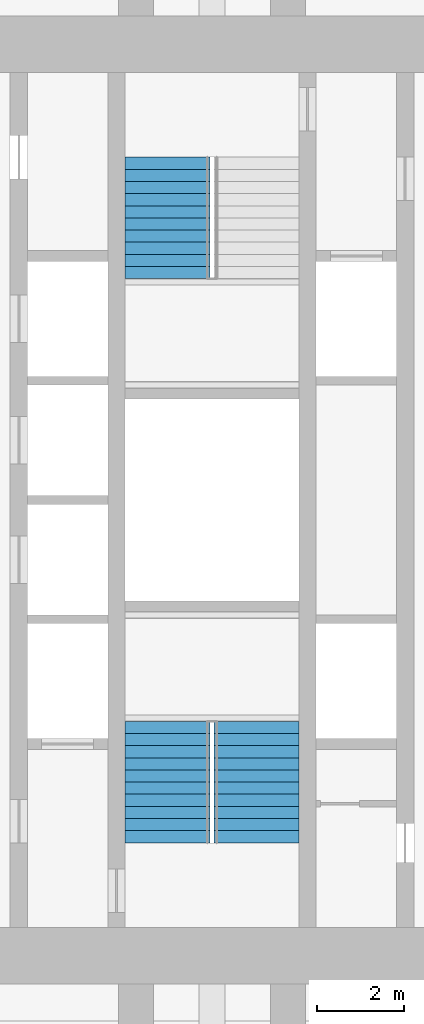
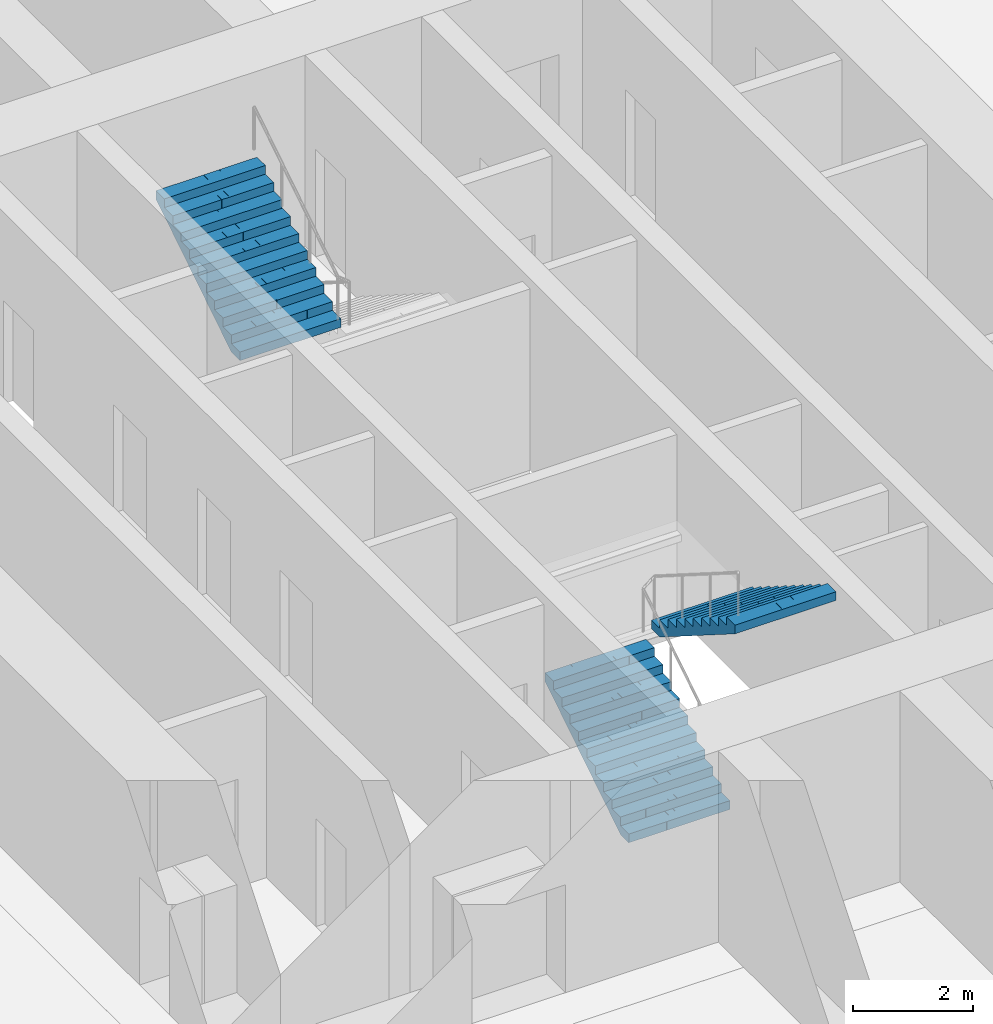
# One storey, part 18 of 20: 3 stair flights, 2 elements without a shape of their own.
"""IFC4 building model written with IfcOpenShell, lengths in metres."""

from ifc_helpers import new_model, si_unit, direction, frame, origin, place, context, subcontext, project, spatial, polyline, outline, extrude, material, type_object, element, aggregate, save


model = new_model("IFC4")

# Units and contexts
model_context = context("Model", 3, precision=1e-05, world=origin(), true_north=direction((0.0, 1.0)))
body_context = subcontext(model_context, "Body", "Model", "MODEL_VIEW")
ifc_project = project(units=[si_unit("LENGTHUNIT", "METRE"), si_unit("AREAUNIT", "SQUARE_METRE"), si_unit("VOLUMEUNIT", "CUBIC_METRE"), si_unit("PLANEANGLEUNIT", "RADIAN"), si_unit("MASSUNIT", "GRAM", prefix="KILO")], contexts=[model_context])

# Site, building, storey
site_placement = place(None, origin())
site = spatial("IfcSite", under=ifc_project, at=site_placement, CompositionType="ELEMENT")
building_placement = place(site_placement, origin())
building = spatial("IfcBuilding", under=site, at=building_placement, Name="Mizan Broadcast Tower", CompositionType="ELEMENT")
storey_placement = place(building_placement, frame((0.0, 0.0, 178.800048828125)))
storey = spatial("IfcBuildingStorey", under=building, at=storey_placement, Name="L41", CompositionType="ELEMENT", Elevation=178.800048828125)

# Stair, stair flights
ifc_material_1 = material(Name="Concrete C40/50", Category="concrete")
stair_type = type_object("IfcStairType", Name="EXIT STAIR", PredefinedType="HALF_TURN_STAIR", material=ifc_material_1)
stair_1_placement = place(storey_placement, origin())
stair_1 = element("IfcStair", 1, at=stair_1_placement, inside=storey, type_object=stair_type, Name="Stair A L41", PredefinedType="HALF_TURN_STAIR")
ifc_material_2 = material(Name="Concrete C40/50", Category="concrete")
stair_flight_type = type_object("IfcStairFlightType", Name="EXIT STAIR FLIGHT", PredefinedType="STRAIGHT", material=ifc_material_2)
stair_flight_1_placement = place(storey_placement, frame((-1.02490234375, -7.89990234375, 0.0), z_axis=(0.0, 0.0, 1.0), x_axis=(0.0, 1.0, 0.0)))
stair_flight_1 = element("IfcStairFlight", 2, at=stair_flight_1_placement, type_object=stair_flight_type, Name="A flight 1", NumberOfRisers=11, NumberOfTreads=10, PredefinedType="STRAIGHT", RiserHeight=0.177272727, TreadLength=0.28, context=body_context, shape_type="SweptSolid", body=[
    extrude(outline(polyline([(0.0, 0.0), (0.0, 0.17724609375), (0.280029296875, 0.17724609375), (0.280029296875, 0.3544921875), (0.56005859375, 0.3544921875), (0.56005859375, 0.53173828125), (0.840087890625, 0.53173828125), (0.840087890625, 0.708984375), (1.1201171875, 0.708984375), (1.1201171875, 0.886474609375), (1.39990234375, 0.886474609375), (1.39990234375, 1.063720703125), (1.679931640625, 1.063720703125), (1.679931640625, 1.240966796875), (1.9599609375, 1.240966796875), (1.9599609375, 1.418212890625), (2.239990234375, 1.418212890625), (2.239990234375, 1.595458984375), (2.52001953125, 1.595458984375), (2.52001953125, 1.772705078125), (2.800048828125, 1.772705078125), (2.800048828125, 1.949951171875), (2.800048828125, 1.59521484375), (0.2802734375, 0.0), (0.0, 0.0)])), frame((0.0, 0.97509765625, 0.0), z_axis=(0.0, -1.0, 0.0), x_axis=(1.0, 0.0, 0.0)), (0.0, 0.0, 1.0), 0.4873046875),
    extrude(outline(polyline([(0.0, 0.0), (0.0, 0.17724609375), (0.280029296875, 0.17724609375), (0.280029296875, 0.3544921875), (0.56005859375, 0.3544921875), (0.56005859375, 0.53173828125), (0.840087890625, 0.53173828125), (0.840087890625, 0.708984375), (1.1201171875, 0.708984375), (1.1201171875, 0.886474609375), (1.39990234375, 0.886474609375), (1.39990234375, 1.063720703125), (1.679931640625, 1.063720703125), (1.679931640625, 1.240966796875), (1.9599609375, 1.240966796875), (1.9599609375, 1.418212890625), (2.239990234375, 1.418212890625), (2.239990234375, 1.595458984375), (2.52001953125, 1.595458984375), (2.52001953125, 1.772705078125), (2.800048828125, 1.772705078125), (2.800048828125, 1.949951171875), (2.800048828125, 1.59521484375), (0.2802734375, 0.0), (0.0, 0.0)])), frame((0.0, 0.4873046875, 0.0), z_axis=(0.0, -1.0, 0.0), x_axis=(1.0, 0.0, 0.0)), (0.0, 0.0, 1.0), 0.2431640625),
    extrude(outline(polyline([(0.0, 0.0), (0.0, 0.17724609375), (0.280029296875, 0.17724609375), (0.280029296875, 0.3544921875), (0.56005859375, 0.3544921875), (0.56005859375, 0.53173828125), (0.840087890625, 0.53173828125), (0.840087890625, 0.708984375), (1.1201171875, 0.708984375), (1.1201171875, 0.886474609375), (1.39990234375, 0.886474609375), (1.39990234375, 1.063720703125), (1.679931640625, 1.063720703125), (1.679931640625, 1.240966796875), (1.9599609375, 1.240966796875), (1.9599609375, 1.418212890625), (2.239990234375, 1.418212890625), (2.239990234375, 1.595458984375), (2.52001953125, 1.595458984375), (2.52001953125, 1.772705078125), (2.800048828125, 1.772705078125), (2.800048828125, 1.949951171875), (2.800048828125, 1.59521484375), (0.2802734375, 0.0), (0.0, 0.0)])), frame((0.0, 0.24365234375, 0.0), z_axis=(0.0, -1.0, 0.0), x_axis=(1.0, 0.0, 0.0)), (0.0, 0.0, 1.0), 0.121337890625),
    extrude(outline(polyline([(0.0, 0.0), (0.0, 0.17724609375), (0.280029296875, 0.17724609375), (0.280029296875, 0.3544921875), (0.56005859375, 0.3544921875), (0.56005859375, 0.53173828125), (0.840087890625, 0.53173828125), (0.840087890625, 0.708984375), (1.1201171875, 0.708984375), (1.1201171875, 0.886474609375), (1.39990234375, 0.886474609375), (1.39990234375, 1.063720703125), (1.679931640625, 1.063720703125), (1.679931640625, 1.240966796875), (1.9599609375, 1.240966796875), (1.9599609375, 1.418212890625), (2.239990234375, 1.418212890625), (2.239990234375, 1.595458984375), (2.52001953125, 1.595458984375), (2.52001953125, 1.772705078125), (2.800048828125, 1.772705078125), (2.800048828125, 1.949951171875), (2.800048828125, 1.59521484375), (0.2802734375, 0.0), (0.0, 0.0)])), frame((0.0, 0.121826171875, 0.0), z_axis=(0.0, -1.0, 0.0), x_axis=(1.0, 0.0, 0.0)), (0.0, 0.0, 1.0), 0.060546875),
    extrude(outline(polyline([(0.0, 0.0), (0.0, 0.17724609375), (0.280029296875, 0.17724609375), (0.280029296875, 0.3544921875), (0.56005859375, 0.3544921875), (0.56005859375, 0.53173828125), (0.840087890625, 0.53173828125), (0.840087890625, 0.708984375), (1.1201171875, 0.708984375), (1.1201171875, 0.886474609375), (1.39990234375, 0.886474609375), (1.39990234375, 1.063720703125), (1.679931640625, 1.063720703125), (1.679931640625, 1.240966796875), (1.9599609375, 1.240966796875), (1.9599609375, 1.418212890625), (2.239990234375, 1.418212890625), (2.239990234375, 1.595458984375), (2.52001953125, 1.595458984375), (2.52001953125, 1.772705078125), (2.800048828125, 1.772705078125), (2.800048828125, 1.949951171875), (2.800048828125, 1.59521484375), (0.2802734375, 0.0), (0.0, 0.0)])), frame((0.0, 0.060791015625, 0.0), z_axis=(0.0, -1.0, 0.0), x_axis=(1.0, 0.0, 0.0)), (0.0, 0.0, 1.0), 0.030029296875),
    extrude(outline(polyline([(0.0, 0.0), (0.0, 0.17724609375), (0.280029296875, 0.17724609375), (0.280029296875, 0.3544921875), (0.56005859375, 0.3544921875), (0.56005859375, 0.53173828125), (0.840087890625, 0.53173828125), (0.840087890625, 0.708984375), (1.1201171875, 0.708984375), (1.1201171875, 0.886474609375), (1.39990234375, 0.886474609375), (1.39990234375, 1.063720703125), (1.679931640625, 1.063720703125), (1.679931640625, 1.240966796875), (1.9599609375, 1.240966796875), (1.9599609375, 1.418212890625), (2.239990234375, 1.418212890625), (2.239990234375, 1.595458984375), (2.52001953125, 1.595458984375), (2.52001953125, 1.772705078125), (2.800048828125, 1.772705078125), (2.800048828125, 1.949951171875), (2.800048828125, 1.59521484375), (0.2802734375, 0.0), (0.0, 0.0)])), frame((0.0, 0.0302734375, 0.0), z_axis=(0.0, -1.0, 0.0), x_axis=(1.0, 0.0, 0.0)), (0.0, 0.0, 1.0), 0.060302734375),
    extrude(outline(polyline([(0.0, 0.0), (0.0, 0.17724609375), (0.280029296875, 0.17724609375), (0.280029296875, 0.3544921875), (0.56005859375, 0.3544921875), (0.56005859375, 0.53173828125), (0.840087890625, 0.53173828125), (0.840087890625, 0.708984375), (1.1201171875, 0.708984375), (1.1201171875, 0.886474609375), (1.39990234375, 0.886474609375), (1.39990234375, 1.063720703125), (1.679931640625, 1.063720703125), (1.679931640625, 1.240966796875), (1.9599609375, 1.240966796875), (1.9599609375, 1.418212890625), (2.239990234375, 1.418212890625), (2.239990234375, 1.595458984375), (2.52001953125, 1.595458984375), (2.52001953125, 1.772705078125), (2.800048828125, 1.772705078125), (2.800048828125, 1.949951171875), (2.800048828125, 1.59521484375), (0.2802734375, 0.0), (0.0, 0.0)])), frame((0.0, -0.030517578125, 0.0), z_axis=(0.0, -1.0, 0.0), x_axis=(1.0, 0.0, 0.0)), (0.0, 0.0, 1.0), 0.030029296875),
    extrude(outline(polyline([(0.0, 0.0), (0.0, 0.17724609375), (0.280029296875, 0.17724609375), (0.280029296875, 0.3544921875), (0.56005859375, 0.3544921875), (0.56005859375, 0.53173828125), (0.840087890625, 0.53173828125), (0.840087890625, 0.708984375), (1.1201171875, 0.708984375), (1.1201171875, 0.886474609375), (1.39990234375, 0.886474609375), (1.39990234375, 1.063720703125), (1.679931640625, 1.063720703125), (1.679931640625, 1.240966796875), (1.9599609375, 1.240966796875), (1.9599609375, 1.418212890625), (2.239990234375, 1.418212890625), (2.239990234375, 1.595458984375), (2.52001953125, 1.595458984375), (2.52001953125, 1.772705078125), (2.800048828125, 1.772705078125), (2.800048828125, 1.949951171875), (2.800048828125, 1.59521484375), (0.2802734375, 0.0), (0.0, 0.0)])), frame((0.0, -0.06103515625, 0.0), z_axis=(0.0, -1.0, 0.0), x_axis=(1.0, 0.0, 0.0)), (0.0, 0.0, 1.0), 0.060546875),
    extrude(outline(polyline([(0.0, 0.0), (0.0, 0.17724609375), (0.280029296875, 0.17724609375), (0.280029296875, 0.3544921875), (0.56005859375, 0.3544921875), (0.56005859375, 0.53173828125), (0.840087890625, 0.53173828125), (0.840087890625, 0.708984375), (1.1201171875, 0.708984375), (1.1201171875, 0.886474609375), (1.39990234375, 0.886474609375), (1.39990234375, 1.063720703125), (1.679931640625, 1.063720703125), (1.679931640625, 1.240966796875), (1.9599609375, 1.240966796875), (1.9599609375, 1.418212890625), (2.239990234375, 1.418212890625), (2.239990234375, 1.595458984375), (2.52001953125, 1.595458984375), (2.52001953125, 1.772705078125), (2.800048828125, 1.772705078125), (2.800048828125, 1.949951171875), (2.800048828125, 1.59521484375), (0.2802734375, 0.0), (0.0, 0.0)])), frame((0.0, -0.1220703125, 0.0), z_axis=(0.0, -1.0, 0.0), x_axis=(1.0, 0.0, 0.0)), (0.0, 0.0, 1.0), 0.121337890625),
    extrude(outline(polyline([(0.0, 0.0), (0.0, 0.17724609375), (0.280029296875, 0.17724609375), (0.280029296875, 0.3544921875), (0.56005859375, 0.3544921875), (0.56005859375, 0.53173828125), (0.840087890625, 0.53173828125), (0.840087890625, 0.708984375), (1.1201171875, 0.708984375), (1.1201171875, 0.886474609375), (1.39990234375, 0.886474609375), (1.39990234375, 1.063720703125), (1.679931640625, 1.063720703125), (1.679931640625, 1.240966796875), (1.9599609375, 1.240966796875), (1.9599609375, 1.418212890625), (2.239990234375, 1.418212890625), (2.239990234375, 1.595458984375), (2.52001953125, 1.595458984375), (2.52001953125, 1.772705078125), (2.800048828125, 1.772705078125), (2.800048828125, 1.949951171875), (2.800048828125, 1.59521484375), (0.2802734375, 0.0), (0.0, 0.0)])), frame((0.0, -0.243896484375, 0.0), z_axis=(0.0, -1.0, 0.0), x_axis=(1.0, 0.0, 0.0)), (0.0, 0.0, 1.0), 0.2431640625),
    extrude(outline(polyline([(0.0, 0.0), (0.0, 0.17724609375), (0.280029296875, 0.17724609375), (0.280029296875, 0.3544921875), (0.56005859375, 0.3544921875), (0.56005859375, 0.53173828125), (0.840087890625, 0.53173828125), (0.840087890625, 0.708984375), (1.1201171875, 0.708984375), (1.1201171875, 0.886474609375), (1.39990234375, 0.886474609375), (1.39990234375, 1.063720703125), (1.679931640625, 1.063720703125), (1.679931640625, 1.240966796875), (1.9599609375, 1.240966796875), (1.9599609375, 1.418212890625), (2.239990234375, 1.418212890625), (2.239990234375, 1.595458984375), (2.52001953125, 1.595458984375), (2.52001953125, 1.772705078125), (2.800048828125, 1.772705078125), (2.800048828125, 1.949951171875), (2.800048828125, 1.59521484375), (0.2802734375, 0.0), (0.0, 0.0)])), frame((0.0, -0.487548828125, 0.0), z_axis=(0.0, -1.0, 0.0), x_axis=(1.0, 0.0, 0.0)), (0.0, 0.0, 1.0), 0.4873046875),
])
stair_flight_2_placement = place(storey_placement, frame((1.02490234375, -5.10009765625, 1.949951171875), z_axis=(0.0, 0.0, 1.0), x_axis=(0.0, -1.0, 0.0)))
stair_flight_2 = element("IfcStairFlight", 3, at=stair_flight_2_placement, type_object=stair_flight_type, Name="A flight 2", NumberOfRisers=11, NumberOfTreads=10, PredefinedType="STRAIGHT", RiserHeight=0.177272727, TreadLength=0.28, context=body_context, shape_type="SweptSolid", body=[
    extrude(outline(polyline([(0.0, 0.0), (0.0, 0.17724609375), (0.280029296875, 0.17724609375), (0.280029296875, 0.3544921875), (0.56005859375, 0.3544921875), (0.56005859375, 0.53173828125), (0.840087890625, 0.53173828125), (0.840087890625, 0.708984375), (1.1201171875, 0.708984375), (1.1201171875, 0.886474609375), (1.39990234375, 0.886474609375), (1.39990234375, 1.063720703125), (1.679931640625, 1.063720703125), (1.679931640625, 1.240966796875), (1.9599609375, 1.240966796875), (1.9599609375, 1.418212890625), (2.239990234375, 1.418212890625), (2.239990234375, 1.595458984375), (2.52001953125, 1.595458984375), (2.52001953125, 1.772705078125), (2.800048828125, 1.772705078125), (2.800048828125, 1.949951171875), (2.800048828125, 1.59521484375), (0.2802734375, 0.0), (0.0, 0.0)])), frame((0.0, 0.97509765625, 0.0), z_axis=(0.0, -1.0, 0.0), x_axis=(1.0, 0.0, 0.0)), (0.0, 0.0, 1.0), 0.4873046875),
    extrude(outline(polyline([(0.0, 0.0), (0.0, 0.17724609375), (0.280029296875, 0.17724609375), (0.280029296875, 0.3544921875), (0.56005859375, 0.3544921875), (0.56005859375, 0.53173828125), (0.840087890625, 0.53173828125), (0.840087890625, 0.708984375), (1.1201171875, 0.708984375), (1.1201171875, 0.886474609375), (1.39990234375, 0.886474609375), (1.39990234375, 1.063720703125), (1.679931640625, 1.063720703125), (1.679931640625, 1.240966796875), (1.9599609375, 1.240966796875), (1.9599609375, 1.418212890625), (2.239990234375, 1.418212890625), (2.239990234375, 1.595458984375), (2.52001953125, 1.595458984375), (2.52001953125, 1.772705078125), (2.800048828125, 1.772705078125), (2.800048828125, 1.949951171875), (2.800048828125, 1.59521484375), (0.2802734375, 0.0), (0.0, 0.0)])), frame((0.0, 0.4873046875, 0.0), z_axis=(0.0, -1.0, 0.0), x_axis=(1.0, 0.0, 0.0)), (0.0, 0.0, 1.0), 0.2431640625),
    extrude(outline(polyline([(0.0, 0.0), (0.0, 0.17724609375), (0.280029296875, 0.17724609375), (0.280029296875, 0.3544921875), (0.56005859375, 0.3544921875), (0.56005859375, 0.53173828125), (0.840087890625, 0.53173828125), (0.840087890625, 0.708984375), (1.1201171875, 0.708984375), (1.1201171875, 0.886474609375), (1.39990234375, 0.886474609375), (1.39990234375, 1.063720703125), (1.679931640625, 1.063720703125), (1.679931640625, 1.240966796875), (1.9599609375, 1.240966796875), (1.9599609375, 1.418212890625), (2.239990234375, 1.418212890625), (2.239990234375, 1.595458984375), (2.52001953125, 1.595458984375), (2.52001953125, 1.772705078125), (2.800048828125, 1.772705078125), (2.800048828125, 1.949951171875), (2.800048828125, 1.59521484375), (0.2802734375, 0.0), (0.0, 0.0)])), frame((0.0, 0.24365234375, 0.0), z_axis=(0.0, -1.0, 0.0), x_axis=(1.0, 0.0, 0.0)), (0.0, 0.0, 1.0), 0.121337890625),
    extrude(outline(polyline([(0.0, 0.0), (0.0, 0.17724609375), (0.280029296875, 0.17724609375), (0.280029296875, 0.3544921875), (0.56005859375, 0.3544921875), (0.56005859375, 0.53173828125), (0.840087890625, 0.53173828125), (0.840087890625, 0.708984375), (1.1201171875, 0.708984375), (1.1201171875, 0.886474609375), (1.39990234375, 0.886474609375), (1.39990234375, 1.063720703125), (1.679931640625, 1.063720703125), (1.679931640625, 1.240966796875), (1.9599609375, 1.240966796875), (1.9599609375, 1.418212890625), (2.239990234375, 1.418212890625), (2.239990234375, 1.595458984375), (2.52001953125, 1.595458984375), (2.52001953125, 1.772705078125), (2.800048828125, 1.772705078125), (2.800048828125, 1.949951171875), (2.800048828125, 1.59521484375), (0.2802734375, 0.0), (0.0, 0.0)])), frame((0.0, 0.121826171875, 0.0), z_axis=(0.0, -1.0, 0.0), x_axis=(1.0, 0.0, 0.0)), (0.0, 0.0, 1.0), 0.060546875),
    extrude(outline(polyline([(0.0, 0.0), (0.0, 0.17724609375), (0.280029296875, 0.17724609375), (0.280029296875, 0.3544921875), (0.56005859375, 0.3544921875), (0.56005859375, 0.53173828125), (0.840087890625, 0.53173828125), (0.840087890625, 0.708984375), (1.1201171875, 0.708984375), (1.1201171875, 0.886474609375), (1.39990234375, 0.886474609375), (1.39990234375, 1.063720703125), (1.679931640625, 1.063720703125), (1.679931640625, 1.240966796875), (1.9599609375, 1.240966796875), (1.9599609375, 1.418212890625), (2.239990234375, 1.418212890625), (2.239990234375, 1.595458984375), (2.52001953125, 1.595458984375), (2.52001953125, 1.772705078125), (2.800048828125, 1.772705078125), (2.800048828125, 1.949951171875), (2.800048828125, 1.59521484375), (0.2802734375, 0.0), (0.0, 0.0)])), frame((0.0, 0.060791015625, 0.0), z_axis=(0.0, -1.0, 0.0), x_axis=(1.0, 0.0, 0.0)), (0.0, 0.0, 1.0), 0.030029296875),
    extrude(outline(polyline([(0.0, 0.0), (0.0, 0.17724609375), (0.280029296875, 0.17724609375), (0.280029296875, 0.3544921875), (0.56005859375, 0.3544921875), (0.56005859375, 0.53173828125), (0.840087890625, 0.53173828125), (0.840087890625, 0.708984375), (1.1201171875, 0.708984375), (1.1201171875, 0.886474609375), (1.39990234375, 0.886474609375), (1.39990234375, 1.063720703125), (1.679931640625, 1.063720703125), (1.679931640625, 1.240966796875), (1.9599609375, 1.240966796875), (1.9599609375, 1.418212890625), (2.239990234375, 1.418212890625), (2.239990234375, 1.595458984375), (2.52001953125, 1.595458984375), (2.52001953125, 1.772705078125), (2.800048828125, 1.772705078125), (2.800048828125, 1.949951171875), (2.800048828125, 1.59521484375), (0.2802734375, 0.0), (0.0, 0.0)])), frame((0.0, 0.0302734375, 0.0), z_axis=(0.0, -1.0, 0.0), x_axis=(1.0, 0.0, 0.0)), (0.0, 0.0, 1.0), 0.060302734375),
    extrude(outline(polyline([(0.0, 0.0), (0.0, 0.17724609375), (0.280029296875, 0.17724609375), (0.280029296875, 0.3544921875), (0.56005859375, 0.3544921875), (0.56005859375, 0.53173828125), (0.840087890625, 0.53173828125), (0.840087890625, 0.708984375), (1.1201171875, 0.708984375), (1.1201171875, 0.886474609375), (1.39990234375, 0.886474609375), (1.39990234375, 1.063720703125), (1.679931640625, 1.063720703125), (1.679931640625, 1.240966796875), (1.9599609375, 1.240966796875), (1.9599609375, 1.418212890625), (2.239990234375, 1.418212890625), (2.239990234375, 1.595458984375), (2.52001953125, 1.595458984375), (2.52001953125, 1.772705078125), (2.800048828125, 1.772705078125), (2.800048828125, 1.949951171875), (2.800048828125, 1.59521484375), (0.2802734375, 0.0), (0.0, 0.0)])), frame((0.0, -0.030517578125, 0.0), z_axis=(0.0, -1.0, 0.0), x_axis=(1.0, 0.0, 0.0)), (0.0, 0.0, 1.0), 0.030029296875),
    extrude(outline(polyline([(0.0, 0.0), (0.0, 0.17724609375), (0.280029296875, 0.17724609375), (0.280029296875, 0.3544921875), (0.56005859375, 0.3544921875), (0.56005859375, 0.53173828125), (0.840087890625, 0.53173828125), (0.840087890625, 0.708984375), (1.1201171875, 0.708984375), (1.1201171875, 0.886474609375), (1.39990234375, 0.886474609375), (1.39990234375, 1.063720703125), (1.679931640625, 1.063720703125), (1.679931640625, 1.240966796875), (1.9599609375, 1.240966796875), (1.9599609375, 1.418212890625), (2.239990234375, 1.418212890625), (2.239990234375, 1.595458984375), (2.52001953125, 1.595458984375), (2.52001953125, 1.772705078125), (2.800048828125, 1.772705078125), (2.800048828125, 1.949951171875), (2.800048828125, 1.59521484375), (0.2802734375, 0.0), (0.0, 0.0)])), frame((0.0, -0.06103515625, 0.0), z_axis=(0.0, -1.0, 0.0), x_axis=(1.0, 0.0, 0.0)), (0.0, 0.0, 1.0), 0.060546875),
    extrude(outline(polyline([(0.0, 0.0), (0.0, 0.17724609375), (0.280029296875, 0.17724609375), (0.280029296875, 0.3544921875), (0.56005859375, 0.3544921875), (0.56005859375, 0.53173828125), (0.840087890625, 0.53173828125), (0.840087890625, 0.708984375), (1.1201171875, 0.708984375), (1.1201171875, 0.886474609375), (1.39990234375, 0.886474609375), (1.39990234375, 1.063720703125), (1.679931640625, 1.063720703125), (1.679931640625, 1.240966796875), (1.9599609375, 1.240966796875), (1.9599609375, 1.418212890625), (2.239990234375, 1.418212890625), (2.239990234375, 1.595458984375), (2.52001953125, 1.595458984375), (2.52001953125, 1.772705078125), (2.800048828125, 1.772705078125), (2.800048828125, 1.949951171875), (2.800048828125, 1.59521484375), (0.2802734375, 0.0), (0.0, 0.0)])), frame((0.0, -0.1220703125, 0.0), z_axis=(0.0, -1.0, 0.0), x_axis=(1.0, 0.0, 0.0)), (0.0, 0.0, 1.0), 0.121337890625),
    extrude(outline(polyline([(0.0, 0.0), (0.0, 0.17724609375), (0.280029296875, 0.17724609375), (0.280029296875, 0.3544921875), (0.56005859375, 0.3544921875), (0.56005859375, 0.53173828125), (0.840087890625, 0.53173828125), (0.840087890625, 0.708984375), (1.1201171875, 0.708984375), (1.1201171875, 0.886474609375), (1.39990234375, 0.886474609375), (1.39990234375, 1.063720703125), (1.679931640625, 1.063720703125), (1.679931640625, 1.240966796875), (1.9599609375, 1.240966796875), (1.9599609375, 1.418212890625), (2.239990234375, 1.418212890625), (2.239990234375, 1.595458984375), (2.52001953125, 1.595458984375), (2.52001953125, 1.772705078125), (2.800048828125, 1.772705078125), (2.800048828125, 1.949951171875), (2.800048828125, 1.59521484375), (0.2802734375, 0.0), (0.0, 0.0)])), frame((0.0, -0.243896484375, 0.0), z_axis=(0.0, -1.0, 0.0), x_axis=(1.0, 0.0, 0.0)), (0.0, 0.0, 1.0), 0.2431640625),
    extrude(outline(polyline([(0.0, 0.0), (0.0, 0.17724609375), (0.280029296875, 0.17724609375), (0.280029296875, 0.3544921875), (0.56005859375, 0.3544921875), (0.56005859375, 0.53173828125), (0.840087890625, 0.53173828125), (0.840087890625, 0.708984375), (1.1201171875, 0.708984375), (1.1201171875, 0.886474609375), (1.39990234375, 0.886474609375), (1.39990234375, 1.063720703125), (1.679931640625, 1.063720703125), (1.679931640625, 1.240966796875), (1.9599609375, 1.240966796875), (1.9599609375, 1.418212890625), (2.239990234375, 1.418212890625), (2.239990234375, 1.595458984375), (2.52001953125, 1.595458984375), (2.52001953125, 1.772705078125), (2.800048828125, 1.772705078125), (2.800048828125, 1.949951171875), (2.800048828125, 1.59521484375), (0.2802734375, 0.0), (0.0, 0.0)])), frame((0.0, -0.487548828125, 0.0), z_axis=(0.0, -1.0, 0.0), x_axis=(1.0, 0.0, 0.0)), (0.0, 0.0, 1.0), 0.4873046875),
])
aggregate(stair_1, [stair_flight_1, stair_flight_2])

# Stair, stair flight
stair_2_placement = place(storey_placement, origin())
stair_2 = element("IfcStair", 4, at=stair_2_placement, inside=storey, type_object=stair_type, Name="Stair B L41", PredefinedType="HALF_TURN_STAIR")
stair_flight_3_placement = place(storey_placement, frame((-1.02490234375, 5.10009765625, 1.949951171875), z_axis=(0.0, 0.0, 1.0), x_axis=(0.0, 1.0, 0.0)))
stair_flight_3 = element("IfcStairFlight", 5, at=stair_flight_3_placement, type_object=stair_flight_type, Name="B flight 2", NumberOfRisers=11, NumberOfTreads=10, PredefinedType="STRAIGHT", RiserHeight=0.177272727, TreadLength=0.28, context=body_context, shape_type="SweptSolid", body=[
    extrude(outline(polyline([(0.0, 0.0), (0.0, 0.17724609375), (0.280029296875, 0.17724609375), (0.280029296875, 0.3544921875), (0.56005859375, 0.3544921875), (0.56005859375, 0.53173828125), (0.840087890625, 0.53173828125), (0.840087890625, 0.708984375), (1.1201171875, 0.708984375), (1.1201171875, 0.886474609375), (1.39990234375, 0.886474609375), (1.39990234375, 1.063720703125), (1.679931640625, 1.063720703125), (1.679931640625, 1.240966796875), (1.9599609375, 1.240966796875), (1.9599609375, 1.418212890625), (2.239990234375, 1.418212890625), (2.239990234375, 1.595458984375), (2.52001953125, 1.595458984375), (2.52001953125, 1.772705078125), (2.800048828125, 1.772705078125), (2.800048828125, 1.949951171875), (2.800048828125, 1.59521484375), (0.2802734375, 0.0), (0.0, 0.0)])), frame((0.0, 0.97509765625, 0.0), z_axis=(0.0, -1.0, 0.0), x_axis=(1.0, 0.0, 0.0)), (0.0, 0.0, 1.0), 0.4873046875),
    extrude(outline(polyline([(0.0, 0.0), (0.0, 0.17724609375), (0.280029296875, 0.17724609375), (0.280029296875, 0.3544921875), (0.56005859375, 0.3544921875), (0.56005859375, 0.53173828125), (0.840087890625, 0.53173828125), (0.840087890625, 0.708984375), (1.1201171875, 0.708984375), (1.1201171875, 0.886474609375), (1.39990234375, 0.886474609375), (1.39990234375, 1.063720703125), (1.679931640625, 1.063720703125), (1.679931640625, 1.240966796875), (1.9599609375, 1.240966796875), (1.9599609375, 1.418212890625), (2.239990234375, 1.418212890625), (2.239990234375, 1.595458984375), (2.52001953125, 1.595458984375), (2.52001953125, 1.772705078125), (2.800048828125, 1.772705078125), (2.800048828125, 1.949951171875), (2.800048828125, 1.59521484375), (0.2802734375, 0.0), (0.0, 0.0)])), frame((0.0, 0.4873046875, 0.0), z_axis=(0.0, -1.0, 0.0), x_axis=(1.0, 0.0, 0.0)), (0.0, 0.0, 1.0), 0.2431640625),
    extrude(outline(polyline([(0.0, 0.0), (0.0, 0.17724609375), (0.280029296875, 0.17724609375), (0.280029296875, 0.3544921875), (0.56005859375, 0.3544921875), (0.56005859375, 0.53173828125), (0.840087890625, 0.53173828125), (0.840087890625, 0.708984375), (1.1201171875, 0.708984375), (1.1201171875, 0.886474609375), (1.39990234375, 0.886474609375), (1.39990234375, 1.063720703125), (1.679931640625, 1.063720703125), (1.679931640625, 1.240966796875), (1.9599609375, 1.240966796875), (1.9599609375, 1.418212890625), (2.239990234375, 1.418212890625), (2.239990234375, 1.595458984375), (2.52001953125, 1.595458984375), (2.52001953125, 1.772705078125), (2.800048828125, 1.772705078125), (2.800048828125, 1.949951171875), (2.800048828125, 1.59521484375), (0.2802734375, 0.0), (0.0, 0.0)])), frame((0.0, 0.24365234375, 0.0), z_axis=(0.0, -1.0, 0.0), x_axis=(1.0, 0.0, 0.0)), (0.0, 0.0, 1.0), 0.121337890625),
    extrude(outline(polyline([(0.0, 0.0), (0.0, 0.17724609375), (0.280029296875, 0.17724609375), (0.280029296875, 0.3544921875), (0.56005859375, 0.3544921875), (0.56005859375, 0.53173828125), (0.840087890625, 0.53173828125), (0.840087890625, 0.708984375), (1.1201171875, 0.708984375), (1.1201171875, 0.886474609375), (1.39990234375, 0.886474609375), (1.39990234375, 1.063720703125), (1.679931640625, 1.063720703125), (1.679931640625, 1.240966796875), (1.9599609375, 1.240966796875), (1.9599609375, 1.418212890625), (2.239990234375, 1.418212890625), (2.239990234375, 1.595458984375), (2.52001953125, 1.595458984375), (2.52001953125, 1.772705078125), (2.800048828125, 1.772705078125), (2.800048828125, 1.949951171875), (2.800048828125, 1.59521484375), (0.2802734375, 0.0), (0.0, 0.0)])), frame((0.0, 0.121826171875, 0.0), z_axis=(0.0, -1.0, 0.0), x_axis=(1.0, 0.0, 0.0)), (0.0, 0.0, 1.0), 0.060546875),
    extrude(outline(polyline([(0.0, 0.0), (0.0, 0.17724609375), (0.280029296875, 0.17724609375), (0.280029296875, 0.3544921875), (0.56005859375, 0.3544921875), (0.56005859375, 0.53173828125), (0.840087890625, 0.53173828125), (0.840087890625, 0.708984375), (1.1201171875, 0.708984375), (1.1201171875, 0.886474609375), (1.39990234375, 0.886474609375), (1.39990234375, 1.063720703125), (1.679931640625, 1.063720703125), (1.679931640625, 1.240966796875), (1.9599609375, 1.240966796875), (1.9599609375, 1.418212890625), (2.239990234375, 1.418212890625), (2.239990234375, 1.595458984375), (2.52001953125, 1.595458984375), (2.52001953125, 1.772705078125), (2.800048828125, 1.772705078125), (2.800048828125, 1.949951171875), (2.800048828125, 1.59521484375), (0.2802734375, 0.0), (0.0, 0.0)])), frame((0.0, 0.060791015625, 0.0), z_axis=(0.0, -1.0, 0.0), x_axis=(1.0, 0.0, 0.0)), (0.0, 0.0, 1.0), 0.030029296875),
    extrude(outline(polyline([(0.0, 0.0), (0.0, 0.17724609375), (0.280029296875, 0.17724609375), (0.280029296875, 0.3544921875), (0.56005859375, 0.3544921875), (0.56005859375, 0.53173828125), (0.840087890625, 0.53173828125), (0.840087890625, 0.708984375), (1.1201171875, 0.708984375), (1.1201171875, 0.886474609375), (1.39990234375, 0.886474609375), (1.39990234375, 1.063720703125), (1.679931640625, 1.063720703125), (1.679931640625, 1.240966796875), (1.9599609375, 1.240966796875), (1.9599609375, 1.418212890625), (2.239990234375, 1.418212890625), (2.239990234375, 1.595458984375), (2.52001953125, 1.595458984375), (2.52001953125, 1.772705078125), (2.800048828125, 1.772705078125), (2.800048828125, 1.949951171875), (2.800048828125, 1.59521484375), (0.2802734375, 0.0), (0.0, 0.0)])), frame((0.0, 0.0302734375, 0.0), z_axis=(0.0, -1.0, 0.0), x_axis=(1.0, 0.0, 0.0)), (0.0, 0.0, 1.0), 0.060302734375),
    extrude(outline(polyline([(0.0, 0.0), (0.0, 0.17724609375), (0.280029296875, 0.17724609375), (0.280029296875, 0.3544921875), (0.56005859375, 0.3544921875), (0.56005859375, 0.53173828125), (0.840087890625, 0.53173828125), (0.840087890625, 0.708984375), (1.1201171875, 0.708984375), (1.1201171875, 0.886474609375), (1.39990234375, 0.886474609375), (1.39990234375, 1.063720703125), (1.679931640625, 1.063720703125), (1.679931640625, 1.240966796875), (1.9599609375, 1.240966796875), (1.9599609375, 1.418212890625), (2.239990234375, 1.418212890625), (2.239990234375, 1.595458984375), (2.52001953125, 1.595458984375), (2.52001953125, 1.772705078125), (2.800048828125, 1.772705078125), (2.800048828125, 1.949951171875), (2.800048828125, 1.59521484375), (0.2802734375, 0.0), (0.0, 0.0)])), frame((0.0, -0.030517578125, 0.0), z_axis=(0.0, -1.0, 0.0), x_axis=(1.0, 0.0, 0.0)), (0.0, 0.0, 1.0), 0.030029296875),
    extrude(outline(polyline([(0.0, 0.0), (0.0, 0.17724609375), (0.280029296875, 0.17724609375), (0.280029296875, 0.3544921875), (0.56005859375, 0.3544921875), (0.56005859375, 0.53173828125), (0.840087890625, 0.53173828125), (0.840087890625, 0.708984375), (1.1201171875, 0.708984375), (1.1201171875, 0.886474609375), (1.39990234375, 0.886474609375), (1.39990234375, 1.063720703125), (1.679931640625, 1.063720703125), (1.679931640625, 1.240966796875), (1.9599609375, 1.240966796875), (1.9599609375, 1.418212890625), (2.239990234375, 1.418212890625), (2.239990234375, 1.595458984375), (2.52001953125, 1.595458984375), (2.52001953125, 1.772705078125), (2.800048828125, 1.772705078125), (2.800048828125, 1.949951171875), (2.800048828125, 1.59521484375), (0.2802734375, 0.0), (0.0, 0.0)])), frame((0.0, -0.06103515625, 0.0), z_axis=(0.0, -1.0, 0.0), x_axis=(1.0, 0.0, 0.0)), (0.0, 0.0, 1.0), 0.060546875),
    extrude(outline(polyline([(0.0, 0.0), (0.0, 0.17724609375), (0.280029296875, 0.17724609375), (0.280029296875, 0.3544921875), (0.56005859375, 0.3544921875), (0.56005859375, 0.53173828125), (0.840087890625, 0.53173828125), (0.840087890625, 0.708984375), (1.1201171875, 0.708984375), (1.1201171875, 0.886474609375), (1.39990234375, 0.886474609375), (1.39990234375, 1.063720703125), (1.679931640625, 1.063720703125), (1.679931640625, 1.240966796875), (1.9599609375, 1.240966796875), (1.9599609375, 1.418212890625), (2.239990234375, 1.418212890625), (2.239990234375, 1.595458984375), (2.52001953125, 1.595458984375), (2.52001953125, 1.772705078125), (2.800048828125, 1.772705078125), (2.800048828125, 1.949951171875), (2.800048828125, 1.59521484375), (0.2802734375, 0.0), (0.0, 0.0)])), frame((0.0, -0.1220703125, 0.0), z_axis=(0.0, -1.0, 0.0), x_axis=(1.0, 0.0, 0.0)), (0.0, 0.0, 1.0), 0.121337890625),
    extrude(outline(polyline([(0.0, 0.0), (0.0, 0.17724609375), (0.280029296875, 0.17724609375), (0.280029296875, 0.3544921875), (0.56005859375, 0.3544921875), (0.56005859375, 0.53173828125), (0.840087890625, 0.53173828125), (0.840087890625, 0.708984375), (1.1201171875, 0.708984375), (1.1201171875, 0.886474609375), (1.39990234375, 0.886474609375), (1.39990234375, 1.063720703125), (1.679931640625, 1.063720703125), (1.679931640625, 1.240966796875), (1.9599609375, 1.240966796875), (1.9599609375, 1.418212890625), (2.239990234375, 1.418212890625), (2.239990234375, 1.595458984375), (2.52001953125, 1.595458984375), (2.52001953125, 1.772705078125), (2.800048828125, 1.772705078125), (2.800048828125, 1.949951171875), (2.800048828125, 1.59521484375), (0.2802734375, 0.0), (0.0, 0.0)])), frame((0.0, -0.243896484375, 0.0), z_axis=(0.0, -1.0, 0.0), x_axis=(1.0, 0.0, 0.0)), (0.0, 0.0, 1.0), 0.2431640625),
    extrude(outline(polyline([(0.0, 0.0), (0.0, 0.17724609375), (0.280029296875, 0.17724609375), (0.280029296875, 0.3544921875), (0.56005859375, 0.3544921875), (0.56005859375, 0.53173828125), (0.840087890625, 0.53173828125), (0.840087890625, 0.708984375), (1.1201171875, 0.708984375), (1.1201171875, 0.886474609375), (1.39990234375, 0.886474609375), (1.39990234375, 1.063720703125), (1.679931640625, 1.063720703125), (1.679931640625, 1.240966796875), (1.9599609375, 1.240966796875), (1.9599609375, 1.418212890625), (2.239990234375, 1.418212890625), (2.239990234375, 1.595458984375), (2.52001953125, 1.595458984375), (2.52001953125, 1.772705078125), (2.800048828125, 1.772705078125), (2.800048828125, 1.949951171875), (2.800048828125, 1.59521484375), (0.2802734375, 0.0), (0.0, 0.0)])), frame((0.0, -0.487548828125, 0.0), z_axis=(0.0, -1.0, 0.0), x_axis=(1.0, 0.0, 0.0)), (0.0, 0.0, 1.0), 0.4873046875),
])
aggregate(stair_2, [stair_flight_3])

save(model, "model.ifc")
